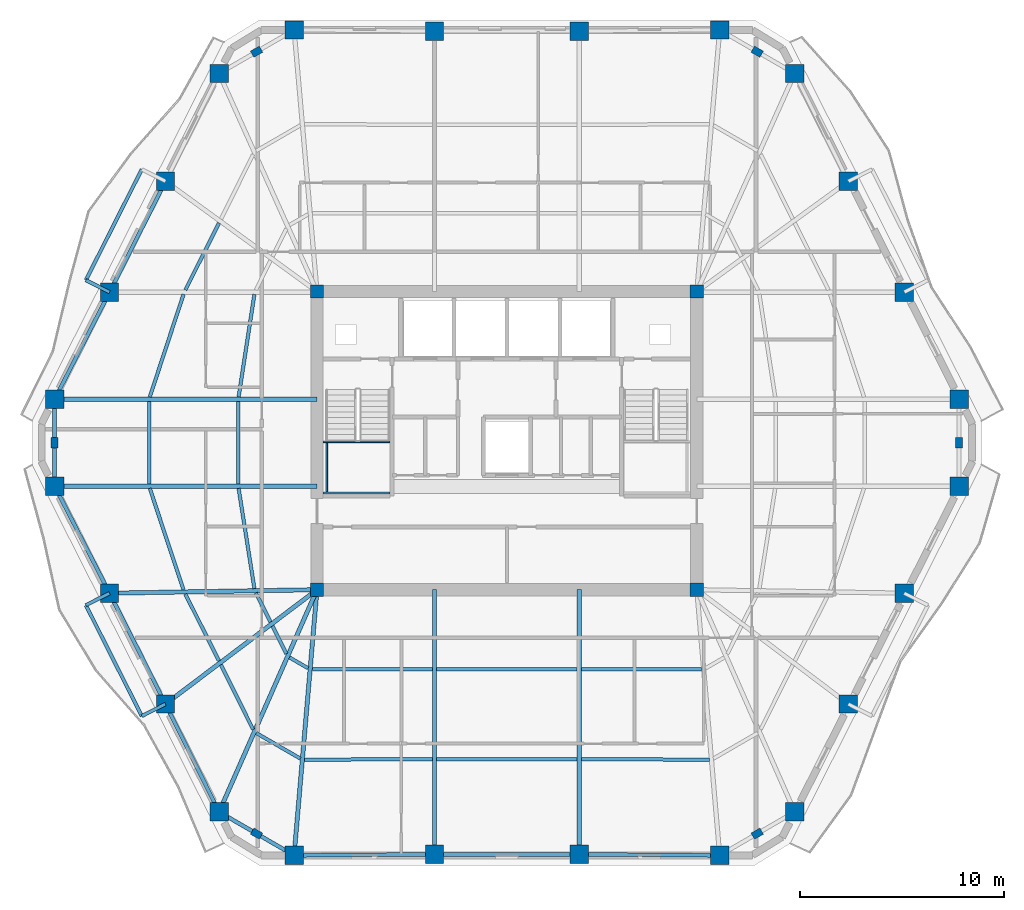
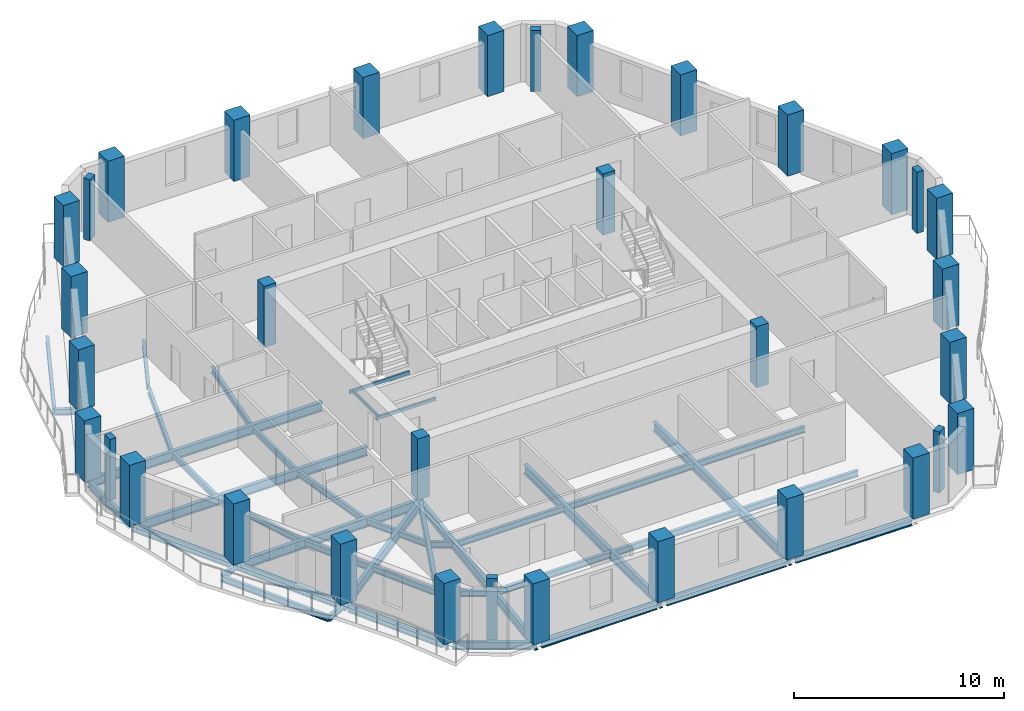
# One storey, part 1 of 12: 45 beams, 34 columns.
"""IFC4 building model written with IfcOpenShell, lengths in metres."""

from ifc_helpers import new_model, si_unit, direction, frame, origin, origin_2d, place, context, subcontext, project, spatial, rectangle, hollow_rectangle, i_section, extrude, material, material_profile, profile_set, type_object, element, save


model = new_model("IFC4")

# Units and contexts
model_context = context("Model", 3, precision=1e-05, world=origin(), true_north=direction((0.0, 1.0)))
body_context = subcontext(model_context, "Body", "Model", "MODEL_VIEW")
ifc_project = project(units=[si_unit("LENGTHUNIT", "METRE"), si_unit("AREAUNIT", "SQUARE_METRE"), si_unit("VOLUMEUNIT", "CUBIC_METRE"), si_unit("PLANEANGLEUNIT", "RADIAN"), si_unit("MASSUNIT", "GRAM", prefix="KILO")], contexts=[model_context])

# Site, building, storey
site_placement = place(None, origin())
site = spatial("IfcSite", under=ifc_project, at=site_placement, CompositionType="ELEMENT")
building_placement = place(site_placement, origin())
building = spatial("IfcBuilding", under=site, at=building_placement, Name="Cinnabar Lancet Tower", CompositionType="ELEMENT")
storey_placement = place(building_placement, frame((0.0, 0.0, 193.199951171875)))
storey = spatial("IfcBuildingStorey", under=building, at=storey_placement, Name="L51", CompositionType="ELEMENT", Elevation=193.199951171875)

# Columns
ifc_material_1 = material(Name="Concrete C60/75", Category="concrete")
ifc_material_profile_1 = material_profile(ifc_material_1, rectangle(XDim=0.64990234375, YDim=0.64990234375, at=origin_2d()), Name="RC-COL 650x650")
ifc_profile_set_1 = profile_set([ifc_material_profile_1], Name="Concrete C60/75")
column_type_1 = type_object("IfcColumnType", Name="STR-COL-CORE-650", PredefinedType="COLUMN", material=ifc_profile_set_1)
for number, where, z_axis, x_axis, name in (
    (1, (23.10009765625, 18.60009765625, 0.0), (0.0, 0.0, 1.0), (1.0, 0.0, 0.0), "L51 Core Corner Column SW"),
    (2, (41.699951171875, 18.60009765625, 0.0), (0.0, 0.0, 1.0), (1.0, 0.0, 0.0), "L51 Core Corner Column SE"),
    (3, (41.699951171875, 33.199951171875, 0.0), (0.0, 0.0, 1.0), (1.0, 0.0, 0.0), "L51 Core Corner Column NE"),
    (4, (23.10009765625, 33.199951171875, 0.0), (0.0, 0.0, 1.0), (1.0, 0.0, 0.0), "L51 Core Corner Column NW"),
):
    element("IfcColumn", number, at=place(storey_placement, frame(where, z_axis=z_axis, x_axis=x_axis)), inside=storey, type_object=column_type_1, Name=name, PredefinedType="COLUMN", context=body_context, shape_type="SweptSolid", body=[
        extrude(rectangle(XDim=0.64990234375, YDim=0.64990234375, at=origin_2d()), origin(), (0.0, 0.0, 1.0), 3.550048828125),
    ])
ifc_material_2 = material(Name="Concrete C60/75", Category="concrete")
ifc_material_profile_2 = material_profile(ifc_material_2, rectangle(XDim=0.5, YDim=0.35009765625, at=origin_2d()), Name="RC-PIL 500x350")
ifc_profile_set_2 = profile_set([ifc_material_profile_2], Name="Concrete C60/75")
column_type_2 = type_object("IfcColumnType", Name="STR-COL-PIL-500", PredefinedType="PILASTER", material=ifc_profile_set_2)
for number, where, z_axis, x_axis, name in (
    (5, (20.14208984375, 6.654052734375, 0.0), (0.0, 0.0, 1.0), (0.865230187018, -0.501374833306, 0.0), "L51 Chamfered Corner Pilaster 1"),
    (6, (44.657958984375, 6.654052734375, 0.0), (0.0, 0.0, 1.0), (0.865230187018, 0.501374833306, 0.0), "L51 Chamfered Corner Pilaster 2"),
    (7, (54.547119140625, 25.800048828125, 0.0), (0.0, 0.0, 1.0), (0.0, 1.0, 0.0), "L51 Chamfered Corner Pilaster 3"),
    (8, (44.657958984375, 44.947021484375, 0.0), (0.0, 0.0, 1.0), (-0.865230187018, 0.501374833306, 0.0), "L51 Chamfered Corner Pilaster 4"),
    (9, (20.14208984375, 44.947021484375, 0.0), (0.0, 0.0, 1.0), (-0.865230187018, -0.501374833306, 0.0), "L51 Chamfered Corner Pilaster 5"),
    (10, (10.2529296875, 25.800048828125, 0.0), (0.0, 0.0, 1.0), (0.0, -1.0, 0.0), "L51 Chamfered Corner Pilaster 6"),
):
    element("IfcColumn", number, at=place(storey_placement, frame(where, z_axis=z_axis, x_axis=x_axis)), inside=storey, type_object=column_type_2, Name=name, PredefinedType="PILASTER", context=body_context, shape_type="SweptSolid", body=[
        extrude(rectangle(XDim=0.5, YDim=0.35009765625, at=origin_2d()), origin(), (0.0, 0.0, 1.0), 3.550048828125),
    ])
ifc_material_3 = material(Name="Concrete C60/75", Category="concrete")
ifc_material_profile_3 = material_profile(ifc_material_3, rectangle(XDim=0.89990234375, YDim=0.89990234375, at=origin_2d()), Name="RC-COL 900x900")
ifc_profile_set_3 = profile_set([ifc_material_profile_3], Name="Concrete C60/75")
column_type_3 = type_object("IfcColumnType", Name="STR-COL-TUBE-900", PredefinedType="COLUMN", material=ifc_profile_set_3)
for number, where, z_axis, x_axis, name in (
    (11, (21.97900390625, 5.589111328125, 0.0), (0.0, 0.0, 1.0), (1.0, 0.0, 0.0), "L51 Perimeter Tube Column 1"),
    (12, (28.85693359375, 5.64208984375, 0.0), (0.0, 0.0, 1.0), (1.0, 0.0, 0.0), "L51 Perimeter Tube Column 2"),
    (13, (35.943115234375, 5.64208984375, 0.0), (0.0, 0.0, 1.0), (1.0, 0.0, 0.0), "L51 Perimeter Tube Column 3"),
    (14, (42.821044921875, 5.589111328125, 0.0), (0.0, 0.0, 1.0), (1.0, 0.0, 0.0), "L51 Perimeter Tube Column 4"),
    (15, (46.4951171875, 7.718017578125, 0.0), (0.0, 0.0, 1.0), (1.0, 0.0, 0.0), "L51 Perimeter Tube Column 5"),
    (16, (49.118896484375, 13.0009765625, 0.0), (0.0, 0.0, 1.0), (1.0, 0.0, 0.0), "L51 Perimeter Tube Column 6"),
    (17, (51.85791015625, 18.428955078125, 0.0), (0.0, 0.0, 1.0), (1.0, 0.0, 0.0), "L51 Perimeter Tube Column 7"),
    (18, (54.547119140625, 23.66796875, 0.0), (0.0, 0.0, 1.0), (1.0, 0.0, 0.0), "L51 Perimeter Tube Column 8"),
    (19, (54.547119140625, 27.931884765625, 0.0), (0.0, 0.0, 1.0), (1.0, 0.0, 0.0), "L51 Perimeter Tube Column 9"),
    (20, (51.85791015625, 33.1708984375, 0.0), (0.0, 0.0, 1.0), (1.0, 0.0, 0.0), "L51 Perimeter Tube Column 10"),
    (21, (49.118896484375, 38.59912109375, 0.0), (0.0, 0.0, 1.0), (1.0, 0.0, 0.0), "L51 Perimeter Tube Column 11"),
    (22, (46.4951171875, 43.882080078125, 0.0), (0.0, 0.0, 1.0), (1.0, 0.0, 0.0), "L51 Perimeter Tube Column 12"),
    (23, (42.821044921875, 46.010986328125, 0.0), (0.0, 0.0, 1.0), (1.0, 0.0, 0.0), "L51 Perimeter Tube Column 13"),
    (24, (35.943115234375, 45.9580078125, 0.0), (0.0, 0.0, 1.0), (1.0, 0.0, 0.0), "L51 Perimeter Tube Column 14"),
    (25, (28.85693359375, 45.9580078125, 0.0), (0.0, 0.0, 1.0), (1.0, 0.0, 0.0), "L51 Perimeter Tube Column 15"),
    (26, (21.97900390625, 46.010986328125, 0.0), (0.0, 0.0, 1.0), (1.0, 0.0, 0.0), "L51 Perimeter Tube Column 16"),
    (27, (18.304931640625, 43.882080078125, 0.0), (0.0, 0.0, 1.0), (1.0, 0.0, 0.0), "L51 Perimeter Tube Column 17"),
    (28, (15.680908203125, 38.59912109375, 0.0), (0.0, 0.0, 1.0), (1.0, 0.0, 0.0), "L51 Perimeter Tube Column 18"),
    (29, (12.94189453125, 33.1708984375, 0.0), (0.0, 0.0, 1.0), (1.0, 0.0, 0.0), "L51 Perimeter Tube Column 19"),
    (30, (10.2529296875, 27.931884765625, 0.0), (0.0, 0.0, 1.0), (1.0, 0.0, 0.0), "L51 Perimeter Tube Column 20"),
    (31, (10.2529296875, 23.66796875, 0.0), (0.0, 0.0, 1.0), (1.0, 0.0, 0.0), "L51 Perimeter Tube Column 21"),
    (32, (12.94189453125, 18.428955078125, 0.0), (0.0, 0.0, 1.0), (1.0, 0.0, 0.0), "L51 Perimeter Tube Column 22"),
    (33, (15.680908203125, 13.0009765625, 0.0), (0.0, 0.0, 1.0), (1.0, 0.0, 0.0), "L51 Perimeter Tube Column 23"),
    (34, (18.304931640625, 7.718017578125, 0.0), (0.0, 0.0, 1.0), (1.0, 0.0, 0.0), "L51 Perimeter Tube Column 24"),
):
    element("IfcColumn", number, at=place(storey_placement, frame(where, z_axis=z_axis, x_axis=x_axis)), inside=storey, type_object=column_type_3, Name=name, PredefinedType="COLUMN", context=body_context, shape_type="SweptSolid", body=[
        extrude(rectangle(XDim=0.89990234375, YDim=0.89990234375, at=origin_2d()), origin(), (0.0, 0.0, 1.0), 3.550048828125),
    ])

# Beams
ifc_material_4 = material(Name="Structural steel S355", Category="steel")
ifc_material_profile_4 = material_profile(ifc_material_4, i_section(OverallWidth=0.17138671875, OverallDepth=0.35498046875, WebThickness=0.00732421875, FlangeThickness=0.011474609375, FilletRadius=0.01025390625, at=origin_2d()), Name="UKB 356x171x51")
ifc_profile_set_4 = profile_set([ifc_material_profile_4], Name="Structural steel S355")
beam_type_1 = type_object("IfcBeamType", Name="STR-BM-JST-356", PredefinedType="JOIST", material=ifc_profile_set_4)
beam_1_placement = place(storey_placement, frame((14.9130859375, 23.56298828125, -0.3779296875), z_axis=(0.315346227037, -0.948976689436, 0.0), x_axis=(0.948976689436, 0.315346227037, 0.0)))
element("IfcBeam", 35, at=beam_1_placement, inside=storey, type_object=beam_type_1, Name="L51 Secondary Floor Joist 1", PredefinedType="JOIST", context=body_context, shape_type="SweptSolid", body=[
    extrude(i_section(OverallWidth=0.17138671875, OverallDepth=0.35498046875, WebThickness=0.00732421875, FlangeThickness=0.011474609375, FilletRadius=0.01025390625, at=origin_2d()), origin(), (0.0, 0.0, 1.0), 5.235107421875),
])
beam_2_placement = place(storey_placement, frame((19.261962890625, 23.56298828125, -0.3779296875), z_axis=(0.155702775827, -0.987803950994, 0.0), x_axis=(0.987803950994, 0.155702775827, 0.0)))
element("IfcBeam", 36, at=beam_2_placement, inside=storey, type_object=beam_type_1, Name="L51 Secondary Floor Joist 2", PredefinedType="JOIST", context=body_context, shape_type="SweptSolid", body=[
    extrude(i_section(OverallWidth=0.17138671875, OverallDepth=0.35498046875, WebThickness=0.00732421875, FlangeThickness=0.011474609375, FilletRadius=0.01025390625, at=origin_2d()), origin(), (0.0, 0.0, 1.0), 4.970458984375),
])
beam_3_placement = place(storey_placement, frame((16.65087890625, 18.386962890625, -0.3779296875), z_axis=(0.45061776862, -0.892716991327, 0.0), x_axis=(0.892716991327, 0.45061776862, 0.0)))
element("IfcBeam", 37, at=beam_3_placement, inside=storey, type_object=beam_type_1, Name="L51 Secondary Floor Joist 3", PredefinedType="JOIST", context=body_context, shape_type="SweptSolid", body=[
    extrude(i_section(OverallWidth=0.17138671875, OverallDepth=0.35498046875, WebThickness=0.00732421875, FlangeThickness=0.011474609375, FilletRadius=0.01025390625, at=origin_2d()), origin(), (0.0, 0.0, 1.0), 3.66845703125),
])
beam_4_placement = place(storey_placement, frame((20.10498046875, 18.445068359375, -0.3779296875), z_axis=(0.450137936259, -0.892959035085, 0.0), x_axis=(0.892959035085, 0.450137936259, 0.0)))
element("IfcBeam", 38, at=beam_4_placement, inside=storey, type_object=beam_type_1, Name="L51 Secondary Floor Joist 4", PredefinedType="JOIST", context=body_context, shape_type="SweptSolid", body=[
    extrude(i_section(OverallWidth=0.17138671875, OverallDepth=0.35498046875, WebThickness=0.00732421875, FlangeThickness=0.011474609375, FilletRadius=0.01025390625, at=origin_2d()), origin(), (0.0, 0.0, 1.0), 1.6015625),
])
beam_5_placement = place(storey_placement, frame((18.39892578125, 14.9208984375, -0.3779296875), z_axis=(0.445083338565, -0.895489152214, 0.0), x_axis=(0.895489152214, 0.445083338565, 0.0)))
element("IfcBeam", 39, at=beam_5_placement, inside=storey, type_object=beam_type_1, Name="L51 Secondary Floor Joist 5", PredefinedType="JOIST", context=body_context, shape_type="SweptSolid", body=[
    extrude(i_section(OverallWidth=0.17138671875, OverallDepth=0.35498046875, WebThickness=0.00732421875, FlangeThickness=0.011474609375, FilletRadius=0.01025390625, at=origin_2d()), origin(), (0.0, 0.0, 1.0), 3.531982421875),
])
beam_6_placement = place(storey_placement, frame((20.922119140625, 16.824951171875, -0.3779296875), z_axis=(0.444589856968, -0.895734256954, 0.0), x_axis=(0.895734256954, 0.444589856968, 0.0)))
element("IfcBeam", 40, at=beam_6_placement, inside=storey, type_object=beam_type_1, Name="L51 Secondary Floor Joist 6", PredefinedType="JOIST", context=body_context, shape_type="SweptSolid", body=[
    extrude(i_section(OverallWidth=0.17138671875, OverallDepth=0.35498046875, WebThickness=0.00732421875, FlangeThickness=0.011474609375, FilletRadius=0.01025390625, at=origin_2d()), origin(), (0.0, 0.0, 1.0), 1.527099609375),
])
beam_7_placement = place(storey_placement, frame((20.1220703125, 11.5830078125, -0.3779296875), z_axis=(0.865267839663, -0.501309849937, 0.0), x_axis=(0.501309849937, 0.865267839663, 0.0)))
element("IfcBeam", 41, at=beam_7_placement, inside=storey, type_object=beam_type_1, Name="L51 Secondary Floor Joist 7", PredefinedType="JOIST", context=body_context, shape_type="SweptSolid", body=[
    extrude(i_section(OverallWidth=0.17138671875, OverallDepth=0.35498046875, WebThickness=0.00732421875, FlangeThickness=0.011474609375, FilletRadius=0.01025390625, at=origin_2d()), origin(), (0.0, 0.0, 1.0), 2.497314453125),
])
beam_8_placement = place(storey_placement, frame((21.7529296875, 15.282958984375, -0.3779296875), z_axis=(0.8651881055, -0.501447446998, 0.0), x_axis=(0.501447446998, 0.8651881055, 0.0)))
element("IfcBeam", 42, at=beam_8_placement, inside=storey, type_object=beam_type_1, Name="L51 Secondary Floor Joist 8", PredefinedType="JOIST", context=body_context, shape_type="SweptSolid", body=[
    extrude(i_section(OverallWidth=0.17138671875, OverallDepth=0.35498046875, WebThickness=0.00732421875, FlangeThickness=0.011474609375, FilletRadius=0.01025390625, at=origin_2d()), origin(), (0.0, 0.0, 1.0), 1.05322265625),
])
beam_9_placement = place(storey_placement, frame((22.488037109375, 10.27392578125, -0.3779296875), z_axis=(0.999986965561, 0.005105752523, 0.0), x_axis=(-0.005105752523, 0.999986965561, 0.0)))
element("IfcBeam", 43, at=beam_9_placement, inside=storey, type_object=beam_type_1, Name="L51 Secondary Floor Joist 9", PredefinedType="JOIST", context=body_context, shape_type="SweptSolid", body=[
    extrude(i_section(OverallWidth=0.17138671875, OverallDepth=0.35498046875, WebThickness=0.00732421875, FlangeThickness=0.011474609375, FilletRadius=0.01025390625, at=origin_2d()), origin(), (0.0, 0.0, 1.0), 6.263916015625),
])
beam_10_placement = place(storey_placement, frame((22.868896484375, 14.697021484375, -0.3779296875), z_axis=(0.999996795933, 0.002531427338, 0.0), x_axis=(-0.002531427338, 0.999996795933, 0.0)))
element("IfcBeam", 44, at=beam_10_placement, inside=storey, type_object=beam_type_1, Name="L51 Secondary Floor Joist 10", PredefinedType="JOIST", context=body_context, shape_type="SweptSolid", body=[
    extrude(i_section(OverallWidth=0.17138671875, OverallDepth=0.35498046875, WebThickness=0.00732421875, FlangeThickness=0.011474609375, FilletRadius=0.01025390625, at=origin_2d()), origin(), (0.0, 0.0, 1.0), 5.883056640625),
])
for number, where, z_axis, x_axis, name in (
    (45, (28.9619140625, 10.306884765625, -0.3779296875), (1.0, 0.0, 0.0), (0.0, 1.0, 0.0), "L51 Secondary Floor Joist 11"),
    (46, (28.9619140625, 14.712890625, -0.3779296875), (1.0, 0.0, 0.0), (0.0, 1.0, 0.0), "L51 Secondary Floor Joist 12"),
):
    element("IfcBeam", number, at=place(storey_placement, frame(where, z_axis=z_axis, x_axis=x_axis)), inside=storey, type_object=beam_type_1, Name=name, PredefinedType="JOIST", context=body_context, shape_type="SweptSolid", body=[
        extrude(i_section(OverallWidth=0.17138671875, OverallDepth=0.35498046875, WebThickness=0.00732421875, FlangeThickness=0.011474609375, FilletRadius=0.01025390625, at=origin_2d()), origin(), (0.0, 0.0, 1.0), 6.8759765625),
    ])
beam_11_placement = place(storey_placement, frame((36.048095703125, 10.305908203125, -0.3779296875), z_axis=(0.999986965561, -0.005105752523, 0.0), x_axis=(0.005105752523, 0.999986965561, 0.0)))
element("IfcBeam", 47, at=beam_11_placement, inside=storey, type_object=beam_type_1, Name="L51 Secondary Floor Joist 13", PredefinedType="JOIST", context=body_context, shape_type="SweptSolid", body=[
    extrude(i_section(OverallWidth=0.17138671875, OverallDepth=0.35498046875, WebThickness=0.00732421875, FlangeThickness=0.011474609375, FilletRadius=0.01025390625, at=origin_2d()), origin(), (0.0, 0.0, 1.0), 6.263916015625),
])
beam_12_placement = place(storey_placement, frame((36.048095703125, 14.7119140625, -0.3779296875), z_axis=(0.999996795667, -0.002531532393, 0.0), x_axis=(0.002531532393, 0.999996795667, 0.0)))
element("IfcBeam", 48, at=beam_12_placement, inside=storey, type_object=beam_type_1, Name="L51 Secondary Floor Joist 14", PredefinedType="JOIST", context=body_context, shape_type="SweptSolid", body=[
    extrude(i_section(OverallWidth=0.17138671875, OverallDepth=0.35498046875, WebThickness=0.00732421875, FlangeThickness=0.011474609375, FilletRadius=0.01025390625, at=origin_2d()), origin(), (0.0, 0.0, 1.0), 5.8828125),
])
beam_13_placement = place(storey_placement, frame((18.303955078125, 36.56103515625, -0.3779296875), z_axis=(-0.449230875134, -0.893415704376, 0.0), x_axis=(0.893415704376, -0.449230875134, 0.0)))
element("IfcBeam", 49, at=beam_13_placement, inside=storey, type_object=beam_type_1, Name="L51 Secondary Floor Joist 43", PredefinedType="JOIST", context=body_context, shape_type="SweptSolid", body=[
    extrude(i_section(OverallWidth=0.17138671875, OverallDepth=0.35498046875, WebThickness=0.00732421875, FlangeThickness=0.011474609375, FilletRadius=0.01025390625, at=origin_2d()), origin(), (0.0, 0.0, 1.0), 3.677001953125),
])
beam_14_placement = place(storey_placement, frame((16.56494140625, 33.06591796875, -0.3779296875), z_axis=(-0.312240109925, -0.95000321776, 0.0), x_axis=(0.95000321776, -0.312240109925, 0.0)))
element("IfcBeam", 50, at=beam_14_placement, inside=storey, type_object=beam_type_1, Name="L51 Secondary Floor Joist 45", PredefinedType="JOIST", context=body_context, shape_type="SweptSolid", body=[
    extrude(i_section(OverallWidth=0.17138671875, OverallDepth=0.35498046875, WebThickness=0.00732421875, FlangeThickness=0.011474609375, FilletRadius=0.01025390625, at=origin_2d()), origin(), (0.0, 0.0, 1.0), 5.29345703125),
])
beam_15_placement = place(storey_placement, frame((20.035888671875, 33.06591796875, -0.3779296875), z_axis=(-0.152107663797, -0.988363930248, 0.0), x_axis=(0.988363930248, -0.152107663797, 0.0)))
element("IfcBeam", 51, at=beam_15_placement, inside=storey, type_object=beam_type_1, Name="L51 Secondary Floor Joist 46", PredefinedType="JOIST", context=body_context, shape_type="SweptSolid", body=[
    extrude(i_section(OverallWidth=0.17138671875, OverallDepth=0.35498046875, WebThickness=0.00732421875, FlangeThickness=0.011474609375, FilletRadius=0.01025390625, at=origin_2d()), origin(), (0.0, 0.0, 1.0), 5.088134765625),
])
for number, where, z_axis, x_axis, name in (
    (52, (14.8779296875, 27.826904296875, -0.3779296875), (0.0, -1.0, 0.0), (1.0, 0.0, 0.0), "L51 Secondary Floor Joist 47"),
    (53, (19.24609375, 27.826904296875, -0.3779296875), (0.0, -1.0, 0.0), (1.0, 0.0, 0.0), "L51 Secondary Floor Joist 48"),
):
    element("IfcBeam", number, at=place(storey_placement, frame(where, z_axis=z_axis, x_axis=x_axis)), inside=storey, type_object=beam_type_1, Name=name, PredefinedType="JOIST", context=body_context, shape_type="SweptSolid", body=[
        extrude(i_section(OverallWidth=0.17138671875, OverallDepth=0.35498046875, WebThickness=0.00732421875, FlangeThickness=0.011474609375, FilletRadius=0.01025390625, at=origin_2d()), origin(), (0.0, 0.0, 1.0), 4.053955078125),
    ])
ifc_material_5 = material(Name="Structural steel S355", Category="steel")
ifc_material_profile_5 = material_profile(ifc_material_5, hollow_rectangle(XDim=0.10009765625, YDim=0.199951171875, WallThickness=0.008056640625, InnerFilletRadius=0.00390625, OuterFilletRadius=0.011962890625, at=origin_2d()), Name="RHS 200x100x8")
ifc_profile_set_5 = profile_set([ifc_material_profile_5], Name="Structural steel S355")
beam_type_2 = type_object("IfcBeamType", Name="STR-BM-LND-203", PredefinedType="BEAM", material=ifc_profile_set_5)
for number, where, z_axis, x_axis, name in (
    (54, (23.39990234375, 23.330078125, 1.47509765625), (1.0, 0.0, 0.0), (0.0, 1.0, 0.0), "L51 ST-1-L51 Landing Support Beam S"),
    (55, (23.39990234375, 25.844970703125, 1.47509765625), (1.0, 0.0, 0.0), (0.0, 1.0, 0.0), "L51 ST-1-L51 Landing Support Beam N"),
):
    element("IfcBeam", number, at=place(storey_placement, frame(where, z_axis=z_axis, x_axis=x_axis)), inside=storey, type_object=beam_type_2, Name=name, PredefinedType="BEAM", context=body_context, shape_type="SweptSolid", body=[
        extrude(hollow_rectangle(XDim=0.10009765625, YDim=0.199951171875, WallThickness=0.008056640625, InnerFilletRadius=0.00390625, OuterFilletRadius=0.011962890625, at=origin_2d()), origin(), (0.0, 0.0, 1.0), 3.280029296875),
    ])
beam_16_placement = place(storey_placement, frame((23.580078125, 23.3798828125, 1.47509765625), z_axis=(0.0, 1.0, 0.0), x_axis=(-1.0, 0.0, 0.0)))
element("IfcBeam", 56, at=beam_16_placement, inside=storey, type_object=beam_type_2, Name="L51 ST-1-L51 Landing Side Trimmer Beam", PredefinedType="BEAM", context=body_context, shape_type="SweptSolid", body=[
    extrude(hollow_rectangle(XDim=0.10009765625, YDim=0.199951171875, WallThickness=0.008056640625, InnerFilletRadius=0.00390625, OuterFilletRadius=0.011962890625, at=origin_2d()), origin(), (0.0, 0.0, 1.0), 2.4150390625),
])
ifc_material_6 = material(Name="Structural steel S355", Category="steel")
ifc_material_profile_6 = material_profile(ifc_material_6, i_section(OverallWidth=0.1904296875, OverallDepth=0.45703125, WebThickness=0.009033203125, FlangeThickness=0.014404296875, FilletRadius=0.01025390625, at=origin_2d()), Name="UKB 457x191x74")
ifc_profile_set_6 = profile_set([ifc_material_profile_6], Name="Structural steel S355")
beam_type_3 = type_object("IfcBeamType", Name="STR-BM-SPN-457", PredefinedType="SPANDREL", material=ifc_profile_set_6)
beam_17_placement = place(storey_placement, frame((22.22900390625, 5.591064453125, -0.427978515625), z_axis=(0.999970695686, 0.007655571089, 0.0), x_axis=(-0.007655571089, 0.999970695686, 0.0)))
element("IfcBeam", 57, at=beam_17_placement, inside=storey, type_object=beam_type_3, Name="L51 Perimeter Spandrel 1", PredefinedType="SPANDREL", context=body_context, shape_type="SweptSolid", body=[
    extrude(i_section(OverallWidth=0.1904296875, OverallDepth=0.45703125, WebThickness=0.009033203125, FlangeThickness=0.014404296875, FilletRadius=0.01025390625, at=origin_2d()), origin(), (0.0, 0.0, 1.0), 6.378173828125),
])
beam_18_placement = place(storey_placement, frame((29.10693359375, 5.64208984375, -0.427978515625), z_axis=(1.0, 0.0, 0.0), x_axis=(0.0, 1.0, 0.0)))
element("IfcBeam", 58, at=beam_18_placement, inside=storey, type_object=beam_type_3, Name="L51 Perimeter Spandrel 2", PredefinedType="SPANDREL", context=body_context, shape_type="SweptSolid", body=[
    extrude(i_section(OverallWidth=0.1904296875, OverallDepth=0.45703125, WebThickness=0.009033203125, FlangeThickness=0.014404296875, FilletRadius=0.01025390625, at=origin_2d()), origin(), (0.0, 0.0, 1.0), 6.586181640625),
])
beam_19_placement = place(storey_placement, frame((36.193115234375, 5.639892578125, -0.427978515625), z_axis=(0.999970695686, -0.007655571089, 0.0), x_axis=(0.007655571089, 0.999970695686, 0.0)))
element("IfcBeam", 59, at=beam_19_placement, inside=storey, type_object=beam_type_3, Name="L51 Perimeter Spandrel 3", PredefinedType="SPANDREL", context=body_context, shape_type="SweptSolid", body=[
    extrude(i_section(OverallWidth=0.1904296875, OverallDepth=0.45703125, WebThickness=0.009033203125, FlangeThickness=0.014404296875, FilletRadius=0.01025390625, at=origin_2d()), origin(), (0.0, 0.0, 1.0), 6.378173828125),
])
beam_20_placement = place(storey_placement, frame((15.568115234375, 38.3759765625, -0.427978515625), z_axis=(-0.450395996562, -0.892828900899, 0.0), x_axis=(0.892828900899, -0.450395996562, 0.0)))
element("IfcBeam", 60, at=beam_20_placement, inside=storey, type_object=beam_type_3, Name="L51 Perimeter Spandrel 18", PredefinedType="SPANDREL", context=body_context, shape_type="SweptSolid", body=[
    extrude(i_section(OverallWidth=0.1904296875, OverallDepth=0.45703125, WebThickness=0.009033203125, FlangeThickness=0.014404296875, FilletRadius=0.01025390625, at=origin_2d()), origin(), (0.0, 0.0, 1.0), 5.579833984375),
])
beam_21_placement = place(storey_placement, frame((12.827880859375, 32.948974609375, -0.427978515625), z_axis=(-0.456610910924, -0.889666497079, 0.0), x_axis=(0.889666497079, -0.456610910924, 0.0)))
element("IfcBeam", 61, at=beam_21_placement, inside=storey, type_object=beam_type_3, Name="L51 Perimeter Spandrel 19", PredefinedType="SPANDREL", context=body_context, shape_type="SweptSolid", body=[
    extrude(i_section(OverallWidth=0.1904296875, OverallDepth=0.45703125, WebThickness=0.009033203125, FlangeThickness=0.014404296875, FilletRadius=0.01025390625, at=origin_2d()), origin(), (0.0, 0.0, 1.0), 5.3896484375),
])
beam_22_placement = place(storey_placement, frame((10.2529296875, 27.681884765625, -0.427978515625), z_axis=(0.0, -1.0, 0.0), x_axis=(1.0, 0.0, 0.0)))
element("IfcBeam", 62, at=beam_22_placement, inside=storey, type_object=beam_type_3, Name="L51 Perimeter Spandrel 20", PredefinedType="SPANDREL", context=body_context, shape_type="SweptSolid", body=[
    extrude(i_section(OverallWidth=0.1904296875, OverallDepth=0.45703125, WebThickness=0.009033203125, FlangeThickness=0.014404296875, FilletRadius=0.01025390625, at=origin_2d()), origin(), (0.0, 0.0, 1.0), 3.763916015625),
])
beam_23_placement = place(storey_placement, frame((10.366943359375, 23.446044921875, -0.427978515625), z_axis=(0.456592509812, -0.889675940994, 0.0), x_axis=(0.889675940994, 0.456592509812, 0.0)))
element("IfcBeam", 63, at=beam_23_placement, inside=storey, type_object=beam_type_3, Name="L51 Perimeter Spandrel 21", PredefinedType="SPANDREL", context=body_context, shape_type="SweptSolid", body=[
    extrude(i_section(OverallWidth=0.1904296875, OverallDepth=0.45703125, WebThickness=0.009033203125, FlangeThickness=0.014404296875, FilletRadius=0.01025390625, at=origin_2d()), origin(), (0.0, 0.0, 1.0), 5.389892578125),
])
beam_24_placement = place(storey_placement, frame((13.054931640625, 18.2060546875, -0.427978515625), z_axis=(0.450395996562, -0.892828900899, 0.0), x_axis=(0.892828900899, 0.450395996562, 0.0)))
element("IfcBeam", 64, at=beam_24_placement, inside=storey, type_object=beam_type_3, Name="L51 Perimeter Spandrel 22", PredefinedType="SPANDREL", context=body_context, shape_type="SweptSolid", body=[
    extrude(i_section(OverallWidth=0.1904296875, OverallDepth=0.45703125, WebThickness=0.009033203125, FlangeThickness=0.014404296875, FilletRadius=0.01025390625, at=origin_2d()), origin(), (0.0, 0.0, 1.0), 5.579833984375),
])
beam_25_placement = place(storey_placement, frame((15.7919921875, 12.777099609375, -0.427978515625), z_axis=(0.444914968367, -0.895572817208, 0.0), x_axis=(0.895572817208, 0.444914968367, 0.0)))
element("IfcBeam", 65, at=beam_25_placement, inside=storey, type_object=beam_type_3, Name="L51 Perimeter Spandrel 23", PredefinedType="SPANDREL", context=body_context, shape_type="SweptSolid", body=[
    extrude(i_section(OverallWidth=0.1904296875, OverallDepth=0.45703125, WebThickness=0.009033203125, FlangeThickness=0.014404296875, FilletRadius=0.01025390625, at=origin_2d()), origin(), (0.0, 0.0, 1.0), 5.39892578125),
])
beam_26_placement = place(storey_placement, frame((18.52099609375, 7.593017578125, -0.427978515625), z_axis=(0.865195717586, -0.501434313016, 0.0), x_axis=(0.501434313016, 0.865195717586, 0.0)))
element("IfcBeam", 66, at=beam_26_placement, inside=storey, type_object=beam_type_3, Name="L51 Perimeter Spandrel 24", PredefinedType="SPANDREL", context=body_context, shape_type="SweptSolid", body=[
    extrude(i_section(OverallWidth=0.1904296875, OverallDepth=0.45703125, WebThickness=0.009033203125, FlangeThickness=0.014404296875, FilletRadius=0.01025390625, at=origin_2d()), origin(), (0.0, 0.0, 1.0), 3.7470703125),
])
ifc_material_7 = material(Name="Structural steel S355", Category="steel")
ifc_material_profile_7 = material_profile(ifc_material_7, i_section(OverallWidth=0.209228515625, OverallDepth=0.533203125, WebThickness=0.010009765625, FlangeThickness=0.015625, FilletRadius=0.0126953125, at=origin_2d()), Name="UKB 533x210x92")
ifc_profile_set_7 = profile_set([ifc_material_profile_7], Name="Structural steel S355")
beam_type_4 = type_object("IfcBeamType", Name="STR-BM-UKB533-92", PredefinedType="BEAM", material=ifc_profile_set_7)
beam_27_placement = place(storey_placement, frame((15.680908203125, 13.0009765625, -0.467041015625), z_axis=(0.798202971293, 0.602388592703, 0.0), x_axis=(-0.602388592703, 0.798202971293, 0.0)))
element("IfcBeam", 67, at=beam_27_placement, inside=storey, type_object=beam_type_4, Name="L51 Corner Collector Girder 1", PredefinedType="BEAM", context=body_context, shape_type="SweptSolid", body=[
    extrude(i_section(OverallWidth=0.209228515625, OverallDepth=0.533203125, WebThickness=0.010009765625, FlangeThickness=0.015625, FilletRadius=0.0126953125, at=origin_2d()), origin(), (0.0, 0.0, 1.0), 9.294921875),
])
beam_28_placement = place(storey_placement, frame((21.97900390625, 5.589111328125, -0.467041015625), z_axis=(0.085847068729, 0.996308326167, 0.0), x_axis=(-0.996308326167, 0.085847068729, 0.0)))
element("IfcBeam", 68, at=beam_28_placement, inside=storey, type_object=beam_type_4, Name="L51 Primary Floor Girder 1", PredefinedType="BEAM", context=body_context, shape_type="SweptSolid", body=[
    extrude(i_section(OverallWidth=0.209228515625, OverallDepth=0.533203125, WebThickness=0.010009765625, FlangeThickness=0.015625, FilletRadius=0.0126953125, at=origin_2d()), origin(), (0.0, 0.0, 1.0), 13.05908203125),
])
for number, where, z_axis, x_axis, name in (
    (69, (28.85693359375, 5.64208984375, -0.467041015625), (0.0, 1.0, 0.0), (-1.0, 0.0, 0.0), "L51 Primary Floor Girder 2"),
    (70, (35.943115234375, 5.64208984375, -0.467041015625), (0.0, 1.0, 0.0), (-1.0, 0.0, 0.0), "L51 Primary Floor Girder 3"),
):
    element("IfcBeam", number, at=place(storey_placement, frame(where, z_axis=z_axis, x_axis=x_axis)), inside=storey, type_object=beam_type_4, Name=name, PredefinedType="BEAM", context=body_context, shape_type="SweptSolid", body=[
        extrude(i_section(OverallWidth=0.209228515625, OverallDepth=0.533203125, WebThickness=0.010009765625, FlangeThickness=0.015625, FilletRadius=0.0126953125, at=origin_2d()), origin(), (0.0, 0.0, 1.0), 12.9580078125),
    ])
for number, where, z_axis, x_axis, name in (
    (71, (10.2529296875, 27.931884765625, -0.467041015625), (1.0, 0.0, 0.0), (0.0, 1.0, 0.0), "L51 Primary Floor Girder 20"),
    (72, (10.2529296875, 23.66796875, -0.467041015625), (1.0, 0.0, 0.0), (0.0, 1.0, 0.0), "L51 Primary Floor Girder 21"),
):
    element("IfcBeam", number, at=place(storey_placement, frame(where, z_axis=z_axis, x_axis=x_axis)), inside=storey, type_object=beam_type_4, Name=name, PredefinedType="BEAM", context=body_context, shape_type="SweptSolid", body=[
        extrude(i_section(OverallWidth=0.209228515625, OverallDepth=0.533203125, WebThickness=0.010009765625, FlangeThickness=0.015625, FilletRadius=0.0126953125, at=origin_2d()), origin(), (0.0, 0.0, 1.0), 12.84716796875),
    ])
beam_29_placement = place(storey_placement, frame((12.94189453125, 18.428955078125, -0.467041015625), z_axis=(0.999858107345, 0.016845331024, 0.0), x_axis=(-0.016845331024, 0.999858107345, 0.0)))
element("IfcBeam", 73, at=beam_29_placement, inside=storey, type_object=beam_type_4, Name="L51 Primary Floor Girder 22", PredefinedType="BEAM", context=body_context, shape_type="SweptSolid", body=[
    extrude(i_section(OverallWidth=0.209228515625, OverallDepth=0.533203125, WebThickness=0.010009765625, FlangeThickness=0.015625, FilletRadius=0.0126953125, at=origin_2d()), origin(), (0.0, 0.0, 1.0), 10.15966796875),
])
beam_30_placement = place(storey_placement, frame((18.304931640625, 7.718017578125, -0.467041015625), z_axis=(0.403235299754, 0.915096329919, 0.0), x_axis=(-0.915096329919, 0.403235299754, 0.0)))
element("IfcBeam", 74, at=beam_30_placement, inside=storey, type_object=beam_type_4, Name="L51 Primary Floor Girder 24", PredefinedType="BEAM", context=body_context, shape_type="SweptSolid", body=[
    extrude(i_section(OverallWidth=0.209228515625, OverallDepth=0.533203125, WebThickness=0.010009765625, FlangeThickness=0.015625, FilletRadius=0.0126953125, at=origin_2d()), origin(), (0.0, 0.0, 1.0), 11.891845703125),
])
ifc_material_8 = material(Name="Structural steel S355", Category="steel")
ifc_material_profile_8 = material_profile(ifc_material_8, i_section(OverallWidth=0.17138671875, OverallDepth=0.35498046875, WebThickness=0.00732421875, FlangeThickness=0.011474609375, FilletRadius=0.01025390625, at=origin_2d()), Name="UKB 356x171x51")
ifc_profile_set_8 = profile_set([ifc_material_profile_8], Name="Structural steel S355")
beam_type_5 = type_object("IfcBeamType", Name="STR-BM-WAV-OUT", PredefinedType="BEAM", material=ifc_profile_set_8)
for number, where, z_axis, x_axis, name in (
    (75, (12.94189453125, 33.1708984375, -0.39794921875), (-0.892200264127, 0.451639998995, 0.0), (-0.451639998995, -0.892200264127, 0.0), "L51 Face 5 Balcony Outlooker B"),
    (76, (12.94189453125, 18.428955078125, -0.39794921875), (-0.89227592947, -0.451490493464, 0.0), (0.451490493464, -0.89227592947, 0.0), "L51 Face 6 Balcony Outlooker A"),
    (77, (15.680908203125, 13.0009765625, -0.39794921875), (-0.89227592947, -0.451490493464, 0.0), (0.451490493464, -0.89227592947, 0.0), "L51 Face 6 Balcony Outlooker B"),
):
    element("IfcBeam", number, at=place(storey_placement, frame(where, z_axis=z_axis, x_axis=x_axis)), inside=storey, type_object=beam_type_5, Name=name, PredefinedType="BEAM", context=body_context, shape_type="SweptSolid", body=[
        extrude(i_section(OverallWidth=0.17138671875, OverallDepth=0.35498046875, WebThickness=0.00732421875, FlangeThickness=0.011474609375, FilletRadius=0.01025390625, at=origin_2d()), origin(), (0.0, 0.0, 1.0), 1.300048828125),
    ])
ifc_material_9 = material(Name="Structural steel S355", Category="steel")
ifc_material_profile_9 = material_profile(ifc_material_9, i_section(OverallWidth=0.17138671875, OverallDepth=0.35498046875, WebThickness=0.00732421875, FlangeThickness=0.011474609375, FilletRadius=0.01025390625, at=origin_2d()), Name="UKB 356x171x51")
ifc_profile_set_9 = profile_set([ifc_material_profile_9], Name="Structural steel S355")
beam_type_6 = type_object("IfcBeamType", Name="STR-BM-WAV-TRIM", PredefinedType="SPANDREL", material=ifc_profile_set_9)
for number, where, z_axis, x_axis, name in (
    (78, (14.52099609375, 39.18603515625, -0.39794921875), (-0.450503306898, -0.892774759093, 0.0), (0.892774759093, -0.450503306898, 0.0), "L51 Face 5 Balcony Edge Trimmer"),
    (79, (11.781982421875, 17.842041015625, -0.39794921875), (0.450503306898, -0.892774759093, 0.0), (0.892774759093, 0.450503306898, 0.0), "L51 Face 6 Balcony Edge Trimmer"),
):
    element("IfcBeam", number, at=place(storey_placement, frame(where, z_axis=z_axis, x_axis=x_axis)), inside=storey, type_object=beam_type_6, Name=name, PredefinedType="SPANDREL", context=body_context, shape_type="SweptSolid", body=[
        extrude(i_section(OverallWidth=0.17138671875, OverallDepth=0.35498046875, WebThickness=0.00732421875, FlangeThickness=0.011474609375, FilletRadius=0.01025390625, at=origin_2d()), origin(), (0.0, 0.0, 1.0), 6.079833984375),
    ])

save(model, "model.ifc")
